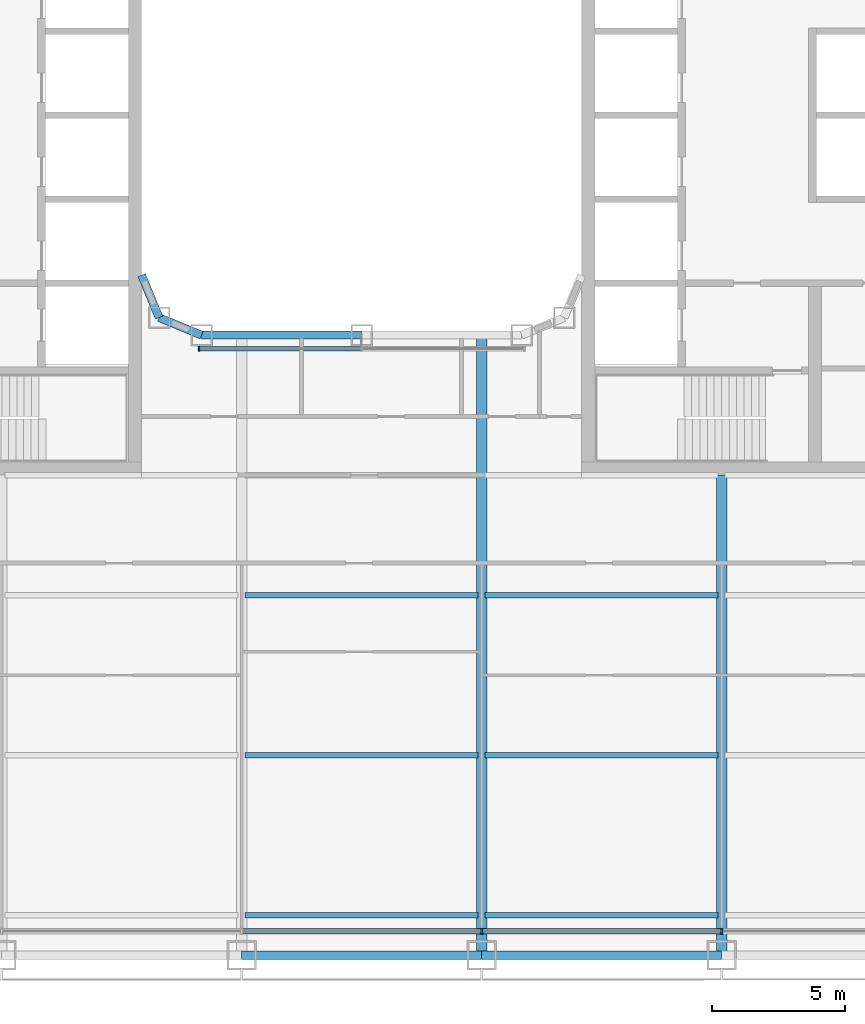
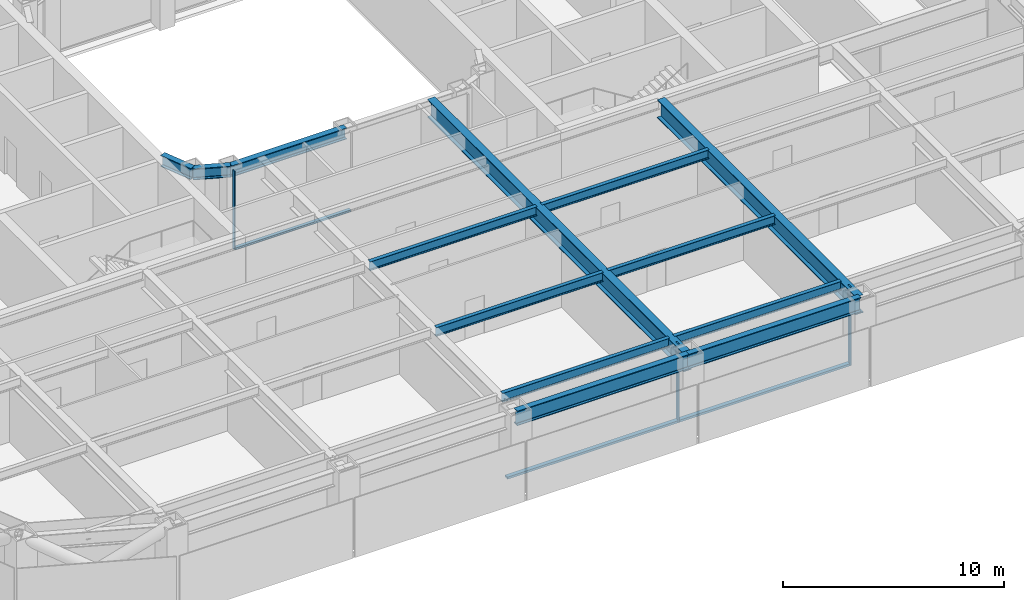
# One storey, part 3 of 30: 13 beams, 6 members, 2 elements without a shape of their own.
"""IFC4 building model written with IfcOpenShell, lengths in metres."""

from ifc_helpers import new_model, si_unit, direction, frame, origin, origin_2d, place, context, subcontext, project, spatial, rectangle, i_section, extrude, material, layer, layer_set, material_profile, profile_set, type_object, element, aggregate, save


model = new_model("IFC4")

# Units and contexts
model_context = context("Model", 3, precision=1e-05, world=origin(), true_north=direction((0.0, 1.0)))
body_context = subcontext(model_context, "Body", "Model", "MODEL_VIEW")
ifc_project = project(units=[si_unit("LENGTHUNIT", "METRE"), si_unit("AREAUNIT", "SQUARE_METRE"), si_unit("VOLUMEUNIT", "CUBIC_METRE"), si_unit("PLANEANGLEUNIT", "RADIAN"), si_unit("MASSUNIT", "GRAM", prefix="KILO")], contexts=[model_context])

# Site, building, storey
site_placement = place(None, origin())
site = spatial("IfcSite", under=ifc_project, at=site_placement, CompositionType="ELEMENT")
building_placement = place(site_placement, origin())
building = spatial("IfcBuilding", under=site, at=building_placement, Name="Siwar Civic Tower", CompositionType="ELEMENT")
storey_placement = place(building_placement, frame((0.0, 0.0, 44.699951171875)))
storey = spatial("IfcBuildingStorey", under=building, at=storey_placement, Name="L09", CompositionType="ELEMENT", Elevation=44.699951171875)

# Curtain wall, members
ifc_material_1 = material(Name="Aluminium and glass", Category="aluminium")
ifc_layer_1 = layer(ifc_material_1, 0.219970703125)
ifc_layer_set_1 = layer_set([ifc_layer_1], Name="Aluminium and glass")
curtain_wall_type_1 = type_object("IfcCurtainWallType", Name="ENV-CW-A", PredefinedType="NOTDEFINED", material=ifc_layer_set_1)
curtain_wall_1_placement = place(storey_placement, origin())
curtain_wall_1 = element("IfcCurtainWall", 1, at=curtain_wall_1_placement, inside=storey, type_object=curtain_wall_type_1, Name="Curtain wall A S", PredefinedType="NOTDEFINED")
ifc_material_2 = material(Name="Aluminium 6063-T6", Category="aluminium")
ifc_material_profile_1 = material_profile(ifc_material_2, rectangle(XDim=0.219970703125, YDim=0.070068359375, at=origin_2d()), Name="AL 220x70")
ifc_profile_set_1 = profile_set([ifc_material_profile_1], Name="Aluminium 6063-T6")
member_type_1 = type_object("IfcMemberType", Name="ENV-MULLION-A", PredefinedType="MULLION", material=ifc_profile_set_1)
member_1_placement = place(storey_placement, frame((4.5, -30.60009765625, 0.0), z_axis=(0.0, 0.0, 1.0), x_axis=(0.0, 1.0, 0.0)))
member_1 = element("IfcMember", 2, at=member_1_placement, type_object=member_type_1, Name="Mullion A S 4", PredefinedType="MULLION", context=body_context, shape_type="SweptSolid", body=[
    extrude(rectangle(XDim=0.219970703125, YDim=0.070068359375, at=origin_2d()), origin(), (0.0, 0.0, 1.0), 4.35009765625),
])
member_2_placement = place(storey_placement, frame((13.5, -30.60009765625, 0.0), z_axis=(0.0, 0.0, 1.0), x_axis=(0.0, 1.0, 0.0)))
member_2 = element("IfcMember", 3, at=member_2_placement, type_object=member_type_1, Name="Mullion A S 5", PredefinedType="MULLION", context=body_context, shape_type="SweptSolid", body=[
    extrude(rectangle(XDim=0.219970703125, YDim=0.070068359375, at=origin_2d()), origin(), (0.0, 0.0, 1.0), 4.35009765625),
])

# Curtain wall, member
ifc_material_3 = material(Name="Aluminium and glass", Category="aluminium")
ifc_layer_2 = layer(ifc_material_3, 0.179931640625)
ifc_layer_set_2 = layer_set([ifc_layer_2], Name="Aluminium and glass")
curtain_wall_type_2 = type_object("IfcCurtainWallType", Name="ENV-CW-W", PredefinedType="NOTDEFINED", material=ifc_layer_set_2)
curtain_wall_2_placement = place(storey_placement, origin())
curtain_wall_2 = element("IfcCurtainWall", 4, at=curtain_wall_2_placement, inside=storey, type_object=curtain_wall_type_2, Name="Curtain wall W WS", PredefinedType="NOTDEFINED")
ifc_material_4 = material(Name="Aluminium 6063-T6", Category="aluminium")
ifc_material_profile_2 = material_profile(ifc_material_4, rectangle(XDim=0.179931640625, YDim=0.06005859375, at=origin_2d()), Name="AL 180x60")
ifc_profile_set_2 = profile_set([ifc_material_profile_2], Name="Aluminium 6063-T6")
member_type_2 = type_object("IfcMemberType", Name="ENV-MULLION-W", PredefinedType="MULLION", material=ifc_profile_set_2)
member_3_placement = place(storey_placement, frame((-6.1015625, -8.760009765625, 0.0), z_axis=(0.0, 0.0, 1.0), x_axis=(0.0, 1.0, 0.0)))
member_3 = element("IfcMember", 5, at=member_3_placement, type_object=member_type_2, Name="Mullion W WS 1", PredefinedType="MULLION", context=body_context, shape_type="SweptSolid", body=[
    extrude(rectangle(XDim=0.179931640625, YDim=0.06005859375, at=origin_2d()), origin(), (0.0, 0.0, 1.0), 4.35009765625),
])

# Member
ifc_material_5 = material(Name="Aluminium 6063-T6", Category="aluminium")
ifc_material_profile_3 = material_profile(ifc_material_5, rectangle(XDim=0.219970703125, YDim=0.1201171875, at=origin_2d()), Name="AL 220x120")
ifc_profile_set_3 = profile_set([ifc_material_profile_3], Name="Aluminium 6063-T6")
member_type_3 = type_object("IfcMemberType", Name="ENV-TRANSOM-A", PredefinedType="USERDEFINED", material=ifc_profile_set_3)
member_4_placement = place(storey_placement, frame((-4.465087890625, -30.60009765625, 0.06005859375), z_axis=(1.0, 0.0, 0.0), x_axis=(0.0, 1.0, 0.0)))
member_4 = element("IfcMember", 6, at=member_4_placement, type_object=member_type_3, Name="Transom A S 3", ObjectType="TRANSOM", PredefinedType="USERDEFINED", context=body_context, shape_type="SweptSolid", body=[
    extrude(rectangle(XDim=0.219970703125, YDim=0.1201171875, at=origin_2d()), origin(), (0.0, 0.0, 1.0), 8.93017578125),
])

member_5_placement = place(storey_placement, frame((4.534912109375, -30.60009765625, 0.06005859375), z_axis=(1.0, 0.0, 0.0), x_axis=(0.0, 1.0, 0.0)))
member_5 = element("IfcMember", 7, at=member_5_placement, type_object=member_type_3, Name="Transom A S 4", ObjectType="TRANSOM", PredefinedType="USERDEFINED", context=body_context, shape_type="SweptSolid", body=[
    extrude(rectangle(XDim=0.219970703125, YDim=0.1201171875, at=origin_2d()), origin(), (0.0, 0.0, 1.0), 8.93017578125),
])

aggregate(curtain_wall_1, [member_1, member_2, member_4, member_5])

ifc_material_6 = material(Name="Aluminium 6063-T6", Category="aluminium")
ifc_material_profile_4 = material_profile(ifc_material_6, rectangle(XDim=0.179931640625, YDim=0.10009765625, at=origin_2d()), Name="AL 180x100")
ifc_profile_set_4 = profile_set([ifc_material_profile_4], Name="Aluminium 6063-T6")
member_type_4 = type_object("IfcMemberType", Name="ENV-TRANSOM-W", PredefinedType="USERDEFINED", material=ifc_profile_set_4)
member_6_placement = place(storey_placement, frame((-6.071533203125, -8.760009765625, 0.050048828125), z_axis=(1.0, 0.0, 0.0), x_axis=(0.0, 1.0, 0.0)))
member_6 = element("IfcMember", 8, at=member_6_placement, type_object=member_type_4, Name="Transom W WS 1", ObjectType="TRANSOM", PredefinedType="USERDEFINED", context=body_context, shape_type="SweptSolid", body=[
    extrude(rectangle(XDim=0.179931640625, YDim=0.10009765625, at=origin_2d()), origin(), (0.0, 0.0, 1.0), 6.04150390625),
])

aggregate(curtain_wall_2, [member_3, member_6])

# Beams
ifc_material_7 = material(Name="Steel S355", Category="steel")
ifc_material_profile_5 = material_profile(ifc_material_7, i_section(OverallWidth=0.199951171875, OverallDepth=0.5, WebThickness=0.01025390625, FlangeThickness=0.01611328125, FilletRadius=0.02099609375, at=origin_2d()), Name="IPE500")
ifc_profile_set_5 = profile_set([ifc_material_profile_5], Name="Steel S355")
beam_type_1 = type_object("IfcBeamType", Name="STR-FB-IPE500", PredefinedType="JOIST", material=ifc_profile_set_5)
for number, where, z_axis, x_axis, name in (
    (9, (-4.3701171875, -30.0, 4.10009765625), (1.0, 0.0, 0.0), (0.0, 1.0, 0.0), "L09/bm/F004"),
    (10, (4.6298828125, -30.0, 4.10009765625), (1.0, 0.0, 0.0), (0.0, 1.0, 0.0), "L09/bm/F005"),
    (11, (-4.3701171875, -24.0, 4.10009765625), (1.0, 0.0, 0.0), (0.0, 1.0, 0.0), "L09/bm/F011"),
    (12, (4.6298828125, -24.0, 4.10009765625), (1.0, 0.0, 0.0), (0.0, 1.0, 0.0), "L09/bm/F012"),
    (13, (-4.3701171875, -18.0, 4.10009765625), (1.0, 0.0, 0.0), (0.0, 1.0, 0.0), "L09/bm/F018"),
    (14, (4.6298828125, -18.0, 4.10009765625), (1.0, 0.0, 0.0), (0.0, 1.0, 0.0), "L09/bm/F019"),
):
    element("IfcBeam", number, at=place(storey_placement, frame(where, z_axis=z_axis, x_axis=x_axis)), inside=storey, type_object=beam_type_1, Name=name, PredefinedType="JOIST", context=body_context, shape_type="SweptSolid", body=[
        extrude(i_section(OverallWidth=0.199951171875, OverallDepth=0.5, WebThickness=0.01025390625, FlangeThickness=0.01611328125, FilletRadius=0.02099609375, at=origin_2d()), origin(), (0.0, 0.0, 1.0), 8.740234375),
    ])
ifc_material_8 = material(Name="Steel S355", Category="steel")
ifc_material_profile_6 = material_profile(ifc_material_8, i_section(OverallWidth=0.39990234375, OverallDepth=1.0, WebThickness=0.01611328125, FlangeThickness=0.0400390625, at=origin_2d()), Name="PG1000x400x16x40")
ifc_profile_set_6 = profile_set([ifc_material_profile_6], Name="Steel S355")
beam_type_2 = type_object("IfcBeamType", Name="STR-PG-PG1000x400x16x40", PredefinedType="BEAM", material=ifc_profile_set_6)
beam_1_placement = place(storey_placement, frame((4.5, -31.5, 3.85009765625), z_axis=(0.0, 1.0, 0.0), x_axis=(-1.0, 0.0, 0.0)))
element("IfcBeam", 15, at=beam_1_placement, inside=storey, type_object=beam_type_2, Name="L09/bm/G07", PredefinedType="BEAM", context=body_context, shape_type="SweptSolid", body=[
    extrude(i_section(OverallWidth=0.39990234375, OverallDepth=1.0, WebThickness=0.01611328125, FlangeThickness=0.0400390625, at=origin_2d()), origin(), (0.0, 0.0, 1.0), 23.25),
])
beam_2_placement = place(storey_placement, frame((13.5, -31.5, 3.85009765625), z_axis=(0.0, 1.0, 0.0), x_axis=(-1.0, 0.0, 0.0)))
element("IfcBeam", 16, at=beam_2_placement, inside=storey, type_object=beam_type_2, Name="L09/bm/G09", PredefinedType="BEAM", context=body_context, shape_type="SweptSolid", body=[
    extrude(i_section(OverallWidth=0.39990234375, OverallDepth=1.0, WebThickness=0.01611328125, FlangeThickness=0.0400390625, at=origin_2d()), origin(), (0.0, 0.0, 1.0), 18.0),
])
ifc_material_9 = material(Name="Steel S355", Category="steel")
ifc_material_profile_7 = material_profile(ifc_material_9, i_section(OverallWidth=0.304931640625, OverallDepth=0.6201171875, WebThickness=0.02099609375, FlangeThickness=0.0400390625, FilletRadius=0.027099609375, at=origin_2d()), Name="HEM600")
ifc_profile_set_7 = profile_set([ifc_material_profile_7], Name="Steel S355")
beam_type_3 = type_object("IfcBeamType", Name="STR-RB-HEM600", PredefinedType="BEAM", material=ifc_profile_set_7)
beam_3_placement = place(storey_placement, frame((-7.591064453125, -7.591064453125, 4.0400390625), z_axis=(0.923901072997, -0.382631424892, 0.0), x_axis=(0.382631424892, 0.923901072997, 0.0)))
element("IfcBeam", 17, at=beam_3_placement, inside=storey, type_object=beam_type_3, Name="L09/bm/RS0", PredefinedType="BEAM", context=body_context, shape_type="SweptSolid", body=[
    extrude(i_section(OverallWidth=0.304931640625, OverallDepth=0.6201171875, WebThickness=0.02099609375, FlangeThickness=0.0400390625, FilletRadius=0.027099609375, at=origin_2d()), origin(), (0.0, 0.0, 1.0), 1.72216796875),
])
beam_4_placement = place(storey_placement, frame((-6.0, -8.25, 4.0400390625), z_axis=(1.0, 0.0, 0.0), x_axis=(0.0, 1.0, 0.0)))
element("IfcBeam", 18, at=beam_4_placement, inside=storey, type_object=beam_type_3, Name="L09/bm/RS1", PredefinedType="BEAM", context=body_context, shape_type="SweptSolid", body=[
    extrude(i_section(OverallWidth=0.304931640625, OverallDepth=0.6201171875, WebThickness=0.02099609375, FlangeThickness=0.0400390625, FilletRadius=0.027099609375, at=origin_2d()), origin(), (0.0, 0.0, 1.0), 6.0),
])
beam_5_placement = place(storey_placement, frame((-7.591064453125, -7.591064453125, 4.0400390625), z_axis=(-0.382631424892, 0.923901072997, 0.0), x_axis=(-0.923901072997, -0.382631424892, 0.0)))
element("IfcBeam", 19, at=beam_5_placement, inside=storey, type_object=beam_type_3, Name="L09/bm/RSEW", PredefinedType="BEAM", context=body_context, shape_type="SweptSolid", body=[
    extrude(i_section(OverallWidth=0.304931640625, OverallDepth=0.6201171875, WebThickness=0.02099609375, FlangeThickness=0.0400390625, FilletRadius=0.027099609375, at=origin_2d()), origin(), (0.0, 0.0, 1.0), 1.72216796875),
])
ifc_material_10 = material(Name="Steel S355", Category="steel")
ifc_material_profile_8 = material_profile(ifc_material_10, i_section(OverallWidth=0.302978515625, OverallDepth=0.81396484375, WebThickness=0.02099609375, FlangeThickness=0.0400390625, FilletRadius=0.030029296875, at=origin_2d()), Name="HEM800")
ifc_profile_set_8 = profile_set([ifc_material_profile_8], Name="Steel S355")
beam_type_4 = type_object("IfcBeamType", Name="STR-SB-HEM800", PredefinedType="BEAM", material=ifc_profile_set_8)
for number, where, z_axis, x_axis, name in (
    (20, (-4.5, -31.5, 3.943115234375), (1.0, 0.0, 0.0), (0.0, 1.0, 0.0), "L09/bm/SS-2"),
    (21, (4.5, -31.5, 3.943115234375), (1.0, 0.0, 0.0), (0.0, 1.0, 0.0), "L09/bm/SS-3"),
):
    element("IfcBeam", number, at=place(storey_placement, frame(where, z_axis=z_axis, x_axis=x_axis)), inside=storey, type_object=beam_type_4, Name=name, PredefinedType="BEAM", context=body_context, shape_type="SweptSolid", body=[
        extrude(i_section(OverallWidth=0.302978515625, OverallDepth=0.81396484375, WebThickness=0.02099609375, FlangeThickness=0.0400390625, FilletRadius=0.030029296875, at=origin_2d()), origin(), (0.0, 0.0, 1.0), 9.0),
    ])

save(model, "model.ifc")
